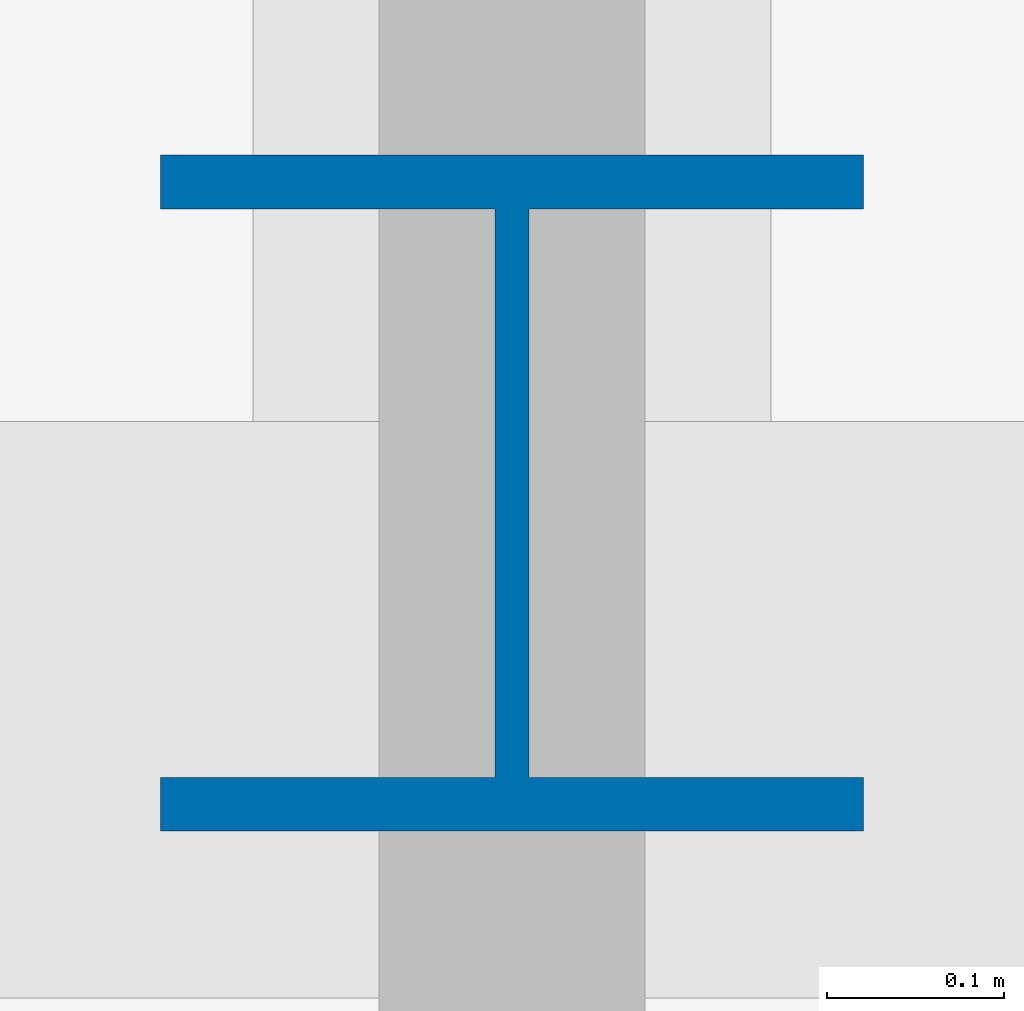
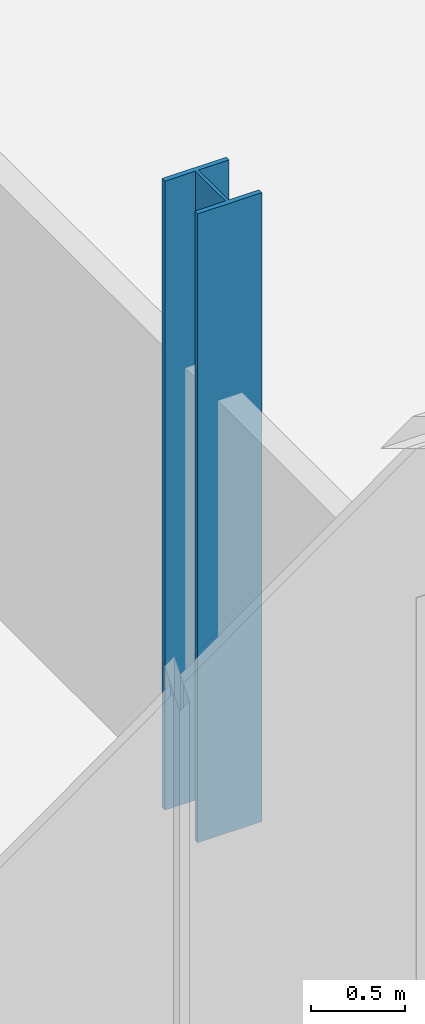
# One storey, part 2 of 20: 1 column.
"""IFC4 building model written with IfcOpenShell, lengths in metres."""

from ifc_helpers import new_model, si_unit, direction, frame, origin, origin_2d, place, context, subcontext, project, spatial, i_section, extrude, material, material_profile, profile_set, type_object, element, save


model = new_model("IFC4")

# Units and contexts
model_context = context("Model", 3, precision=1e-05, world=origin(), true_north=direction((0.0, 1.0)))
body_context = subcontext(model_context, "Body", "Model", "MODEL_VIEW")
ifc_project = project(units=[si_unit("LENGTHUNIT", "METRE"), si_unit("AREAUNIT", "SQUARE_METRE"), si_unit("VOLUMEUNIT", "CUBIC_METRE"), si_unit("PLANEANGLEUNIT", "RADIAN"), si_unit("MASSUNIT", "GRAM", prefix="KILO")], contexts=[model_context])

# Site, building, storey
site_placement = place(None, origin())
site = spatial("IfcSite", under=ifc_project, at=site_placement, CompositionType="ELEMENT")
building_placement = place(site_placement, origin())
building = spatial("IfcBuilding", under=site, at=building_placement, Name="Bicima Exchange Tower", CompositionType="ELEMENT")
storey_placement = place(building_placement, frame((0.0, 0.0, 177.300048828125)))
storey = spatial("IfcBuildingStorey", under=building, at=storey_placement, Name="L39", CompositionType="ELEMENT", Elevation=177.300048828125)

# Column
ifc_material = material(Name="Steel ASTM A992 Gr 50", Category="steel")
ifc_material_profile = material_profile(ifc_material, i_section(OverallWidth=0.396240234375, OverallDepth=0.381103515625, WebThickness=0.01904296875, FlangeThickness=0.0302734375, at=origin_2d()))
ifc_profile_set = profile_set([ifc_material_profile], Name="Steel ASTM A992 Gr 50")
column_type = type_object("IfcColumnType", Name="Perimeter column W14x159", PredefinedType="COLUMN", material=ifc_profile_set)
column_placement = place(storey_placement, frame((26.10009765625, -31.426025390625, 0.0), z_axis=(0.0, 0.0, 1.0), x_axis=(1.0, 0.0, 0.0)))
element("IfcColumn", 1, at=column_placement, inside=storey, type_object=column_type, Name="Perimeter column grav+26.1f", PredefinedType="COLUMN", context=body_context, shape_type="SweptSolid", body=[
    extrude(i_section(OverallWidth=0.396240234375, OverallDepth=0.381103515625, WebThickness=0.01904296875, FlangeThickness=0.0302734375, at=origin_2d()), origin(), (0.0, 0.0, 1.0), 4.099853515625),
])

save(model, "model.ifc")
